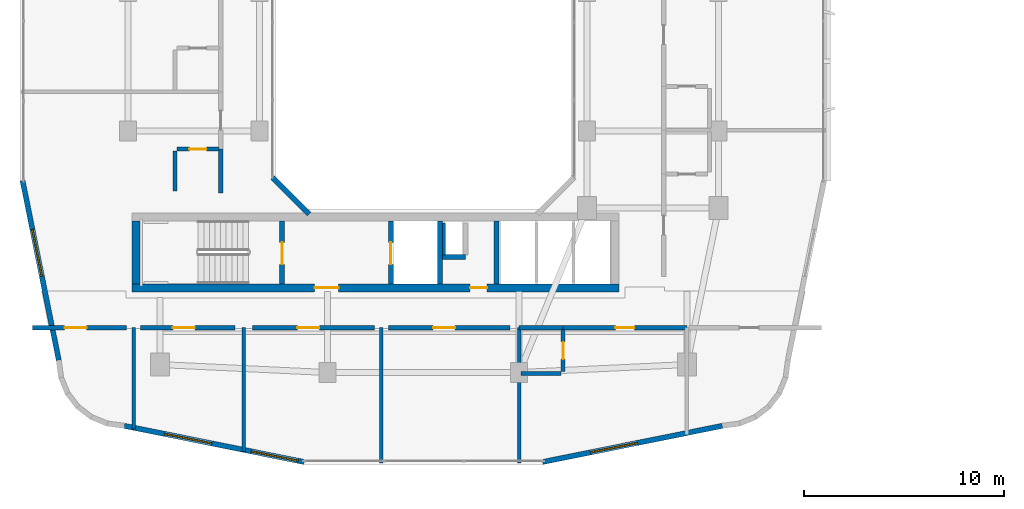
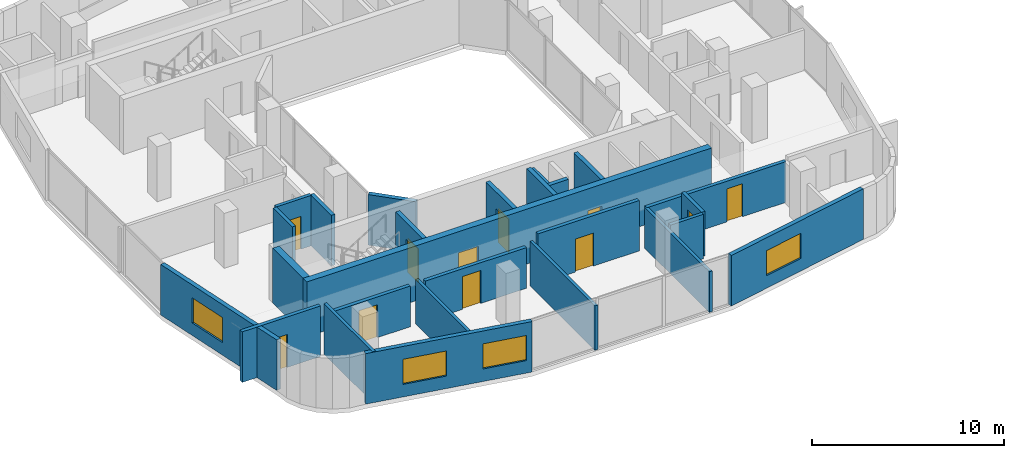
# One storey, part 12 of 26: 27 walls, 11 doors, 4 windows, 15 openings.
"""IFC4 building model written with IfcOpenShell, lengths in metres."""

from ifc_helpers import new_model, si_unit, derived_unit, direction, frame, frame_2d, origin, place, context, subcontext, project, spatial, rectangle, extrude, material, layer, layer_set, type_object, element, fill, save


model = new_model("IFC4")

# Units and contexts
model_context = context("Model", 3, precision=1e-05, world=origin(), true_north=direction((0.0, 1.0)))
body_context = subcontext(model_context, "Body", "Model", "MODEL_VIEW")
ifc_project = project(units=[si_unit("LENGTHUNIT", "METRE"), si_unit("AREAUNIT", "SQUARE_METRE"), si_unit("VOLUMEUNIT", "CUBIC_METRE"), si_unit("PLANEANGLEUNIT", "RADIAN"), si_unit("MASSUNIT", "GRAM", prefix="KILO"), derived_unit("THERMALTRANSMITTANCEUNIT", [(si_unit("POWERUNIT", "WATT"), 1), (si_unit("LENGTHUNIT", "METRE"), -2), (si_unit("THERMODYNAMICTEMPERATUREUNIT", "KELVIN"), -1)])], contexts=[model_context])

# Site, building, storey
site_placement = place(None, origin())
site = spatial("IfcSite", under=ifc_project, at=site_placement, CompositionType="ELEMENT")
building_placement = place(site_placement, origin())
building = spatial("IfcBuilding", under=site, at=building_placement, Name="Kivonza Crest Hotel", CompositionType="ELEMENT")
storey_placement = place(building_placement, frame((0.0, 0.0, 109.0)))
storey = spatial("IfcBuildingStorey", under=building, at=storey_placement, Name="L29", CompositionType="ELEMENT", Elevation=109.0)

# Walls
ifc_material_1 = material(Name="High-density acoustic masonry inter-tenancy wall", Category="masonry")
ifc_layer_1 = layer(ifc_material_1, 0.179931640625)
ifc_layer_set_1 = layer_set([ifc_layer_1], Name="High-density acoustic masonry inter-tenancy wall")
wall_type_1 = type_object("IfcWallType", Name="WL-ACOU-180", PredefinedType="SOLIDWALL", material=ifc_layer_set_1)
wall_1_placement = place(storey_placement, frame((6.47998046875, 6.56494140625, 0.0), z_axis=(0.0, 0.0, 1.0), x_axis=(0.0, 1.0, 0.0)))
element("IfcWall", 1, at=wall_1_placement, inside=storey, type_object=wall_type_1, Name="L29 interior partition WA-L29-T1S-SPDIV0", PredefinedType="SOLIDWALL", context=body_context, shape_type="SweptSolid", body=[
    extrude(rectangle(XDim=5.0849609375, YDim=0.179931640625, at=frame_2d((2.54248046875, 0.0))), origin(), (0.0, 0.0, 1.0), 3.219970703125),
])
wall_2_placement = place(storey_placement, frame((12.0, 5.452880859375, 0.0), z_axis=(0.0, 0.0, 1.0), x_axis=(0.0, 1.0, 0.0)))
element("IfcWall", 2, at=wall_2_placement, inside=storey, type_object=wall_type_1, Name="L29 interior partition WA-L29-T1S-DIV1", PredefinedType="SOLIDWALL", context=body_context, shape_type="SweptSolid", body=[
    extrude(rectangle(XDim=6.197021484375, YDim=0.179931640625, at=frame_2d((3.0986328125, 0.0))), origin(), (0.0, 0.0, 1.0), 2.8349609375),
])
wall_3_placement = place(storey_placement, frame((18.89990234375, 4.860107421875, 0.0), z_axis=(0.0, 0.0, 1.0), x_axis=(0.0, 1.0, 0.0)))
element("IfcWall", 3, at=wall_3_placement, inside=storey, type_object=wall_type_1, Name="L29 interior partition WA-L29-T1S-SPDIV1", PredefinedType="SOLIDWALL", context=body_context, shape_type="SweptSolid", body=[
    extrude(rectangle(XDim=6.789794921875, YDim=0.179931640625, at=frame_2d((3.39501953125, 0.0))), origin(), (0.0, 0.0, 1.0), 2.8349609375),
])
wall_4_placement = place(storey_placement, frame((25.800048828125, 4.860107421875, 0.0), z_axis=(0.0, 0.0, 1.0), x_axis=(0.0, 1.0, 0.0)))
element("IfcWall", 4, at=wall_4_placement, inside=storey, type_object=wall_type_1, Name="L29 interior partition WA-L29-T1S-DIV2", PredefinedType="SOLIDWALL", context=body_context, shape_type="SweptSolid", body=[
    extrude(rectangle(XDim=6.789794921875, YDim=0.179931640625, at=frame_2d((3.39501953125, 0.0))), origin(), (0.0, 0.0, 1.0), 2.594970703125),
])

# Wall, opening, door
ifc_material_2 = material(Name="Autoclaved aerated concrete blockwork", Category="masonry")
ifc_layer_2 = layer(ifc_material_2, 0.219970703125)
ifc_layer_set_2 = layer_set([ifc_layer_2], Name="Autoclaved aerated concrete blockwork")
wall_type_2 = type_object("IfcWallType", Name="WL-ACOU-220", PredefinedType="SOLIDWALL", material=ifc_layer_set_2)
wall_5_placement = place(storey_placement, frame((1.409912109375, 11.64990234375, 0.0), z_axis=(0.0, 0.0, 1.0), x_axis=(1.0, 0.0, 0.0)))
wall_5 = element("IfcWall", 5, at=wall_5_placement, inside=storey, type_object=wall_type_2, Name="L29 interior partition WA-L29-Z2-CNF0A-N", PredefinedType="SOLIDWALL", context=body_context, shape_type="SweptSolid", body=[
    extrude(rectangle(XDim=4.719970703125, YDim=0.219970703125, at=frame_2d((2.35986328125, 0.0))), origin(), (0.0, 0.0, 1.0), 3.219970703125),
])
opening_1_placement = place(wall_5_placement, frame((1.618896484375, 0.0, 0.0)))
opening_1 = element("IfcOpeningElement", 6, at=opening_1_placement, cuts=wall_5, Name="Opening DF-60M", PredefinedType="OPENING", context=body_context, shape_type="SweptSolid", body=[
    extrude(rectangle(XDim=1.10009765625, YDim=2.10009765625, at=frame_2d((0.550048828125, 1.050048828125))), frame((0.0, 0.1201171875, 0.0), z_axis=(0.0, -1.0, 0.0), x_axis=(1.0, 0.0, 0.0)), (0.0, 0.0, 1.0), 0.239990234375),
])
ifc_material_3 = material(Name="Hardwood timber oak", Category="wood")
door_type_1 = type_object("IfcDoorType", Name="DR-FD60-1100", OperationType="NOTDEFINED", PredefinedType="DOOR", material=ifc_material_3)
door_1_placement = place(opening_1_placement, frame((1.10009765625, 0.0, 0.0), z_axis=(0.0, 0.0, 1.0), x_axis=(-1.0, 0.0, 0.0)))
door_1 = element("IfcDoor", 7, at=door_1_placement, inside=storey, type_object=door_type_1, Name="L29 Diplomatic Conference Room door", OperationType="SINGLE_SWING_RIGHT", OverallHeight=2.10009765625, OverallWidth=1.10009765625, PredefinedType="DOOR", context=body_context, shape_type="SweptSolid", body=[
    extrude(rectangle(XDim=1.10009765625, YDim=2.10009765625, at=frame_2d((0.550048828125, 1.050048828125))), frame((0.0, 0.02490234375, 0.0), z_axis=(0.0, -1.0, 0.0), x_axis=(1.0, 0.0, 0.0)), (0.0, 0.0, 1.0), 0.050048828125),
])
fill(opening_1, door_1)

wall_6_placement = place(storey_placement, frame((6.830078125, 11.64990234375, 0.0), z_axis=(0.0, 0.0, 1.0), x_axis=(1.0, 0.0, 0.0)))
wall_6 = element("IfcWall", 8, at=wall_6_placement, inside=storey, type_object=wall_type_2, Name="L29 interior partition WA-L29-Z2-CNF0B-N", PredefinedType="SOLIDWALL", context=body_context, shape_type="SweptSolid", body=[
    extrude(rectangle(XDim=4.719970703125, YDim=0.219970703125, at=frame_2d((2.35986328125, 0.0))), origin(), (0.0, 0.0, 1.0), 2.594970703125),
])
opening_2_placement = place(wall_6_placement, frame((1.618896484375, 0.0, 0.0)))
opening_2 = element("IfcOpeningElement", 9, at=opening_2_placement, cuts=wall_6, Name="Opening DF-60M", PredefinedType="OPENING", context=body_context, shape_type="SweptSolid", body=[
    extrude(rectangle(XDim=1.10009765625, YDim=2.10009765625, at=frame_2d((0.550048828125, 1.050048828125))), frame((0.0, 0.1201171875, 0.0), z_axis=(0.0, -1.0, 0.0), x_axis=(1.0, 0.0, 0.0)), (0.0, 0.0, 1.0), 0.239990234375),
])
door_2_placement = place(opening_2_placement, frame((1.10009765625, 0.0, 0.0), z_axis=(0.0, 0.0, 1.0), x_axis=(-1.0, 0.0, 0.0)))
door_2 = element("IfcDoor", 10, at=door_2_placement, inside=storey, type_object=door_type_1, Name="L29 Delegation Briefing Office door", OperationType="SINGLE_SWING_LEFT", OverallHeight=2.10009765625, OverallWidth=1.10009765625, PredefinedType="DOOR", context=body_context, shape_type="SweptSolid", body=[
    extrude(rectangle(XDim=1.10009765625, YDim=2.10009765625, at=frame_2d((0.550048828125, 1.050048828125))), frame((0.0, 0.02490234375, 0.0), z_axis=(0.0, -1.0, 0.0), x_axis=(1.0, 0.0, 0.0)), (0.0, 0.0, 1.0), 0.050048828125),
])
fill(opening_2, door_2)

wall_7_placement = place(storey_placement, frame((12.449951171875, 11.64990234375, 0.0), z_axis=(0.0, 0.0, 1.0), x_axis=(1.0, 0.0, 0.0)))
wall_7 = element("IfcWall", 11, at=wall_7_placement, inside=storey, type_object=wall_type_2, Name="L29 interior partition WA-L29-Z2-CNF1A-N", PredefinedType="SOLIDWALL", context=body_context, shape_type="SweptSolid", body=[
    extrude(rectangle(XDim=6.10009765625, YDim=0.219970703125, at=frame_2d((3.050048828125, 0.0))), origin(), (0.0, 0.0, 1.0), 2.594970703125),
])
opening_3_placement = place(wall_7_placement, frame((2.239990234375, 0.0, 0.0)))
opening_3 = element("IfcOpeningElement", 12, at=opening_3_placement, cuts=wall_7, Name="Opening DF-60M", PredefinedType="OPENING", context=body_context, shape_type="SweptSolid", body=[
    extrude(rectangle(XDim=1.10009765625, YDim=2.10009765625, at=frame_2d((0.550048828125, 1.050048828125))), frame((0.0, 0.1201171875, 0.0), z_axis=(0.0, -1.0, 0.0), x_axis=(1.0, 0.0, 0.0)), (0.0, 0.0, 1.0), 0.239990234375),
])
door_3_placement = place(opening_3_placement, frame((1.10009765625, 0.0, 0.0), z_axis=(0.0, 0.0, 1.0), x_axis=(-1.0, 0.0, 0.0)))
door_3 = element("IfcDoor", 13, at=door_3_placement, inside=storey, type_object=door_type_1, Name="L29 Diplomatic Conference Room door", OperationType="SINGLE_SWING_RIGHT", OverallHeight=2.10009765625, OverallWidth=1.10009765625, PredefinedType="DOOR", context=body_context, shape_type="SweptSolid", body=[
    extrude(rectangle(XDim=1.10009765625, YDim=2.10009765625, at=frame_2d((0.550048828125, 1.050048828125))), frame((0.0, 0.02490234375, 0.0), z_axis=(0.0, -1.0, 0.0), x_axis=(1.0, 0.0, 0.0)), (0.0, 0.0, 1.0), 0.050048828125),
])
fill(opening_3, door_3)

wall_8_placement = place(storey_placement, frame((19.25, 11.64990234375, 0.0), z_axis=(0.0, 0.0, 1.0), x_axis=(1.0, 0.0, 0.0)))
wall_8 = element("IfcWall", 14, at=wall_8_placement, inside=storey, type_object=wall_type_2, Name="L29 interior partition WA-L29-Z2-CNF1B-N", PredefinedType="SOLIDWALL", context=body_context, shape_type="SweptSolid", body=[
    extrude(rectangle(XDim=6.10009765625, YDim=0.219970703125, at=frame_2d((3.050048828125, 0.0))), origin(), (0.0, 0.0, 1.0), 3.219970703125),
])
opening_4_placement = place(wall_8_placement, frame((2.239990234375, 0.0, 0.0)))
opening_4 = element("IfcOpeningElement", 15, at=opening_4_placement, cuts=wall_8, Name="Opening DF-60M", PredefinedType="OPENING", context=body_context, shape_type="SweptSolid", body=[
    extrude(rectangle(XDim=1.10009765625, YDim=2.10009765625, at=frame_2d((0.550048828125, 1.050048828125))), frame((0.0, 0.1201171875, 0.0), z_axis=(0.0, -1.0, 0.0), x_axis=(1.0, 0.0, 0.0)), (0.0, 0.0, 1.0), 0.239990234375),
])
door_4_placement = place(opening_4_placement, frame((1.10009765625, 0.0, 0.0), z_axis=(0.0, 0.0, 1.0), x_axis=(-1.0, 0.0, 0.0)))
door_4 = element("IfcDoor", 16, at=door_4_placement, inside=storey, type_object=door_type_1, Name="L29 Delegation Briefing Office door", OperationType="SINGLE_SWING_LEFT", OverallHeight=2.10009765625, OverallWidth=1.10009765625, PredefinedType="DOOR", context=body_context, shape_type="SweptSolid", body=[
    extrude(rectangle(XDim=1.10009765625, YDim=2.10009765625, at=frame_2d((0.550048828125, 1.050048828125))), frame((0.0, 0.02490234375, 0.0), z_axis=(0.0, -1.0, 0.0), x_axis=(1.0, 0.0, 0.0)), (0.0, 0.0, 1.0), 0.050048828125),
])
fill(opening_4, door_4)

# Wall
wall_9_placement = place(storey_placement, frame((25.800048828125, 11.64990234375, 0.0), z_axis=(0.0, 0.0, 1.0), x_axis=(1.0, 0.0, 0.0)))
element("IfcWall", 17, at=wall_9_placement, inside=storey, type_object=wall_type_2, Name="L29 interior partition WA-L29-S04-BCORR", PredefinedType="SOLIDWALL", context=body_context, shape_type="SweptSolid", body=[
    extrude(rectangle(XDim=2.199951171875, YDim=0.219970703125, at=frame_2d((1.10009765625, 0.0))), origin(), (0.0, 0.0, 1.0), 2.594970703125),
])

# Wall, opening, door
wall_10_placement = place(storey_placement, frame((28.0, 11.64990234375, 0.0), z_axis=(0.0, 0.0, 1.0), x_axis=(1.0, 0.0, 0.0)))
wall_10 = element("IfcWall", 18, at=wall_10_placement, inside=storey, type_object=wall_type_2, Name="L29 interior partition WA-L29-S04-MCORR", PredefinedType="SOLIDWALL", context=body_context, shape_type="SweptSolid", body=[
    extrude(rectangle(XDim=6.199951171875, YDim=0.219970703125, at=frame_2d((3.10009765625, 0.0))), origin(), (0.0, 0.0, 1.0), 2.594970703125),
])
opening_5_placement = place(wall_10_placement, frame((2.625, 0.0, 0.0)))
opening_5 = element("IfcOpeningElement", 19, at=opening_5_placement, cuts=wall_10, Name="Opening DU-60", PredefinedType="OPENING", context=body_context, shape_type="SweptSolid", body=[
    extrude(rectangle(XDim=0.949951171875, YDim=2.10009765625, at=frame_2d((0.47509765625, 1.050048828125))), frame((0.0, 0.1201171875, 0.0), z_axis=(0.0, -1.0, 0.0), x_axis=(1.0, 0.0, 0.0)), (0.0, 0.0, 1.0), 0.239990234375),
])
door_type_2 = type_object("IfcDoorType", Name="DR-UNIT-950", OperationType="NOTDEFINED", PredefinedType="DOOR", material=ifc_material_3)
door_5_placement = place(opening_5_placement, frame((0.949951171875, 0.0, 0.0), z_axis=(0.0, 0.0, 1.0), x_axis=(-1.0, 0.0, 0.0)))
door_5 = element("IfcDoor", 20, at=door_5_placement, inside=storey, type_object=door_type_2, Name="L29 S04 guest unit entrance fire door", OperationType="SINGLE_SWING_RIGHT", OverallHeight=2.10009765625, OverallWidth=0.949951171875, PredefinedType="DOOR", context=body_context, shape_type="SweptSolid", body=[
    extrude(rectangle(XDim=0.949951171875, YDim=2.10009765625, at=frame_2d((0.47509765625, 1.050048828125))), frame((0.0, 0.02490234375, 0.0), z_axis=(0.0, -1.0, 0.0), x_axis=(1.0, 0.0, 0.0)), (0.0, 0.0, 1.0), 0.050048828125),
])
fill(opening_5, door_5)

# Wall
wall_11_placement = place(storey_placement, frame((10.85009765625, 18.39990234375, 0.0), z_axis=(0.0, 0.0, 1.0), x_axis=(0.0, 1.0, 0.0)))
element("IfcWall", 21, at=wall_11_placement, inside=storey, type_object=wall_type_2, Name="L29 interior partition WA-L29-W05-BCORR", PredefinedType="SOLIDWALL", context=body_context, shape_type="SweptSolid", body=[
    extrude(rectangle(XDim=2.2001953125, YDim=0.219970703125, at=frame_2d((1.10009765625, 0.0))), origin(), (0.0, 0.0, 1.0), 3.219970703125),
])

# Wall, openings, doors
ifc_material_4 = material(Name="Concrete C50/60", Category="concrete")
ifc_layer_3 = layer(ifc_material_4, 0.39990234375)
ifc_layer_set_3 = layer_set([ifc_layer_3], Name="Concrete C50/60")
wall_type_3 = type_object("IfcWallType", Name="WL-CORE-400", PredefinedType="SHEAR", material=ifc_layer_set_3)
wall_12_placement = place(storey_placement, frame((6.39990234375, 13.639892578125, 0.0), z_axis=(0.0, 0.0, 1.0), x_axis=(1.0, 0.0, 0.0)))
wall_12 = element("IfcWall", 22, at=wall_12_placement, inside=storey, type_object=wall_type_3, Name="Core wall T1-S South L29", PredefinedType="SHEAR", context=body_context, shape_type="SweptSolid", body=[
    extrude(rectangle(XDim=24.400146484375, YDim=0.39990234375, at=frame_2d((12.2001953125, 0.0))), origin(), (0.0, 0.0, 1.0), 3.5),
])
opening_6_placement = place(wall_12_placement, frame((9.14990234375, 0.0, 0.0)))
opening_6 = element("IfcOpeningElement", 23, at=opening_6_placement, cuts=wall_12, Name="Opening DF-60", PredefinedType="OPENING", context=body_context, shape_type="SweptSolid", body=[
    extrude(rectangle(XDim=1.199951171875, YDim=2.14990234375, at=frame_2d((0.60009765625, 1.074951171875))), frame((0.0, 0.2099609375, 0.0), z_axis=(0.0, -1.0, 0.0), x_axis=(1.0, 0.0, 0.0)), (0.0, 0.0, 1.0), 0.419921875),
])
opening_7_placement = place(wall_12_placement, frame((16.93994140625, 0.0, 0.0)))
opening_7 = element("IfcOpeningElement", 24, at=opening_7_placement, cuts=wall_12, Name="Opening DF-60R", PredefinedType="OPENING", context=body_context, shape_type="SweptSolid", body=[
    extrude(rectangle(XDim=0.85009765625, YDim=2.10009765625, at=frame_2d((0.425048828125, 1.050048828125))), frame((0.0, 0.2099609375, 0.0), z_axis=(0.0, -1.0, 0.0), x_axis=(1.0, 0.0, 0.0)), (0.0, 0.0, 1.0), 0.419921875),
])
door_type_3 = type_object("IfcDoorType", Name="DR-FD60-1200", OperationType="NOTDEFINED", PredefinedType="DOOR", material=ifc_material_3)
door_6_placement = place(opening_6_placement, frame((1.199951171875, 0.0, 0.0), z_axis=(0.0, 0.0, 1.0), x_axis=(-1.0, 0.0, 0.0)))
door_6 = element("IfcDoor", 25, at=door_6_placement, inside=storey, type_object=door_type_3, Name="L29 T1-S firefighting lobby fire door", OperationType="SINGLE_SWING_LEFT", OverallHeight=2.14990234375, OverallWidth=1.199951171875, PredefinedType="DOOR", context=body_context, shape_type="SweptSolid", body=[
    extrude(rectangle(XDim=1.199951171875, YDim=2.14990234375, at=frame_2d((0.60009765625, 1.074951171875))), frame((0.0, 0.02490234375, 0.0), z_axis=(0.0, -1.0, 0.0), x_axis=(1.0, 0.0, 0.0)), (0.0, 0.0, 1.0), 0.050048828125),
])
fill(opening_6, door_6)
door_type_4 = type_object("IfcDoorType", Name="DR-FD60-850", OperationType="NOTDEFINED", PredefinedType="DOOR", material=ifc_material_3)
door_7_placement = place(opening_7_placement, frame((0.85009765625, 0.0, 0.0), z_axis=(0.0, 0.0, 1.0), x_axis=(-1.0, 0.0, 0.0)))
door_7 = element("IfcDoor", 26, at=door_7_placement, inside=storey, type_object=door_type_4, Name="L29 T1-S core room door", OperationType="SINGLE_SWING_RIGHT", OverallHeight=2.10009765625, OverallWidth=0.85009765625, PredefinedType="DOOR", context=body_context, shape_type="SweptSolid", body=[
    extrude(rectangle(XDim=0.85009765625, YDim=2.10009765625, at=frame_2d((0.425048828125, 1.050048828125))), frame((0.0, 0.02490234375, 0.0), z_axis=(0.0, -1.0, 0.0), x_axis=(1.0, 0.0, 0.0)), (0.0, 0.0, 1.0), 0.050048828125),
])
fill(opening_7, door_7)

# Wall
wall_13_placement = place(storey_placement, frame((6.60009765625, 13.840087890625, 0.0), z_axis=(0.0, 0.0, 1.0), x_axis=(0.0, 1.0, 0.0)))
element("IfcWall", 27, at=wall_13_placement, inside=storey, type_object=wall_type_3, Name="Core wall T1-S West L29", PredefinedType="SHEAR", context=body_context, shape_type="SweptSolid", body=[
    extrude(rectangle(XDim=3.159912109375, YDim=0.39990234375, at=frame_2d((1.580078125, 0.0))), origin(), (0.0, 0.0, 1.0), 3.5),
])

# Wall, openings, windows
ifc_material_5 = material(Name="Precast concrete C40/50", Category="concrete")
ifc_layer_4 = layer(ifc_material_5, 0.260009765625)
ifc_layer_set_4 = layer_set([ifc_layer_4], Name="Precast concrete C40/50")
wall_type_4 = type_object("IfcWallType", Name="WL-EXT-260", PredefinedType="STANDARD", material=ifc_layer_set_4)
wall_14_placement = place(storey_placement, frame((6.01806640625, 6.72900390625, 0.0), z_axis=(0.0, 0.0, 1.0), x_axis=(0.980315963543, -0.197435082048, 0.0)))
wall_14 = element("IfcWall", 28, at=wall_14_placement, inside=storey, type_object=wall_type_4, Name="L29 T1 exterior insulated wall 7", PredefinedType="STANDARD", context=body_context, shape_type="SweptSolid", body=[
    extrude(rectangle(XDim=9.1826171875, YDim=0.260009765625, at=frame_2d((4.59130859375, 0.0))), origin(), (0.0, 0.0, 1.0), 3.219970703125),
])
opening_8_placement = place(wall_14_placement, frame((2.06103515625, 0.0, 0.800048828125)))
opening_8 = element("IfcOpeningElement", 29, at=opening_8_placement, cuts=wall_14, Name="Opening WN-05", PredefinedType="OPENING", context=body_context, shape_type="SweptSolid", body=[
    extrude(rectangle(XDim=2.39990234375, YDim=1.60009765625, at=frame_2d((1.199951171875, 0.800048828125))), frame((0.0, 0.14013671875, 0.0), z_axis=(0.0, -1.0, 0.0), x_axis=(1.0, 0.0, 0.0)), (0.0, 0.0, 1.0), 0.280029296875),
])
opening_9_placement = place(wall_14_placement, frame((6.47900390625, 0.0, 0.800048828125)))
opening_9 = element("IfcOpeningElement", 30, at=opening_9_placement, cuts=wall_14, Name="Opening WN-05", PredefinedType="OPENING", context=body_context, shape_type="SweptSolid", body=[
    extrude(rectangle(XDim=2.39990234375, YDim=1.60009765625, at=frame_2d((1.199951171875, 0.800048828125))), frame((0.0, 0.14013671875, 0.0), z_axis=(0.0, -1.0, 0.0), x_axis=(1.0, 0.0, 0.0)), (0.0, 0.0, 1.0), 0.280029296875),
])
ifc_material_6 = material(Name="Thermally broken bronze aluminium and low-E double glazing", Category="aluminium")
window_type = type_object("IfcWindowType", Name="WN-240x160", PartitioningType="TRIPLE_PANEL_VERTICAL", PredefinedType="WINDOW", material=ifc_material_6)
window_1_placement = place(opening_8_placement, origin())
window_1 = element("IfcWindow", 31, at=window_1_placement, inside=storey, type_object=window_type, Name="L29 T1 facade window 7 bay 1", OverallHeight=1.60009765625, OverallWidth=2.39990234375, PartitioningType="SINGLE_PANEL", PredefinedType="WINDOW", context=body_context, shape_type="SweptSolid", body=[
    extrude(rectangle(XDim=2.39990234375, YDim=1.60009765625, at=frame_2d((1.199951171875, 0.800048828125))), frame((0.0, 0.030029296875, 0.0), z_axis=(0.0, -1.0, 0.0), x_axis=(1.0, 0.0, 0.0)), (0.0, 0.0, 1.0), 0.06005859375),
])
fill(opening_8, window_1)
window_2_placement = place(opening_9_placement, origin())
window_2 = element("IfcWindow", 32, at=window_2_placement, inside=storey, type_object=window_type, Name="L29 T1 facade window 7 bay 2", OverallHeight=1.60009765625, OverallWidth=2.39990234375, PartitioningType="SINGLE_PANEL", PredefinedType="WINDOW", context=body_context, shape_type="SweptSolid", body=[
    extrude(rectangle(XDim=2.39990234375, YDim=1.60009765625, at=frame_2d((1.199951171875, 0.800048828125))), frame((0.0, 0.030029296875, 0.0), z_axis=(0.0, -1.0, 0.0), x_axis=(1.0, 0.0, 0.0)), (0.0, 0.0, 1.0), 0.06005859375),
])
fill(opening_9, window_2)

# Wall, opening, window
wall_15_placement = place(storey_placement, frame((26.97998046875, 4.916015625, 0.0), z_axis=(0.0, 0.0, 1.0), x_axis=(0.980315963543, 0.197435082048, 0.0)))
wall_15 = element("IfcWall", 33, at=wall_15_placement, inside=storey, type_object=wall_type_4, Name="L29 T1 exterior insulated wall 9", PredefinedType="STANDARD", context=body_context, shape_type="SweptSolid", body=[
    extrude(rectangle(XDim=9.1826171875, YDim=0.260009765625, at=frame_2d((4.59130859375, 0.0))), origin(), (0.0, 0.0, 1.0), 3.219970703125),
])
opening_10_placement = place(wall_15_placement, frame((2.445068359375, 0.0, 0.800048828125)))
opening_10 = element("IfcOpeningElement", 34, at=opening_10_placement, cuts=wall_15, Name="Opening WN-05", PredefinedType="OPENING", context=body_context, shape_type="SweptSolid", body=[
    extrude(rectangle(XDim=2.39990234375, YDim=1.60009765625, at=frame_2d((1.199951171875, 0.800048828125))), frame((0.0, 0.14013671875, 0.0), z_axis=(0.0, -1.0, 0.0), x_axis=(1.0, 0.0, 0.0)), (0.0, 0.0, 1.0), 0.280029296875),
])
window_3_placement = place(opening_10_placement, origin())
window_3 = element("IfcWindow", 35, at=window_3_placement, inside=storey, type_object=window_type, Name="L29 T1 facade window 9", OverallHeight=1.60009765625, OverallWidth=2.39990234375, PartitioningType="SINGLE_PANEL", PredefinedType="WINDOW", context=body_context, shape_type="SweptSolid", body=[
    extrude(rectangle(XDim=2.39990234375, YDim=1.60009765625, at=frame_2d((1.199951171875, 0.800048828125))), frame((0.0, 0.030029296875, 0.0), z_axis=(0.0, -1.0, 0.0), x_axis=(1.0, 0.0, 0.0)), (0.0, 0.0, 1.0), 0.06005859375),
])
fill(opening_10, window_3)

wall_16_placement = place(storey_placement, frame((0.916015625, 19.02001953125, 0.0), z_axis=(0.0, 0.0, 1.0), x_axis=(0.197435082048, -0.980315963543, 0.0)))
wall_16 = element("IfcWall", 36, at=wall_16_placement, inside=storey, type_object=wall_type_4, Name="L29 T1 exterior insulated wall 36", PredefinedType="STANDARD", context=body_context, shape_type="SweptSolid", body=[
    extrude(rectangle(XDim=9.1826171875, YDim=0.260009765625, at=frame_2d((4.59130859375, 0.0))), origin(), (0.0, 0.0, 1.0), 3.219970703125),
])
opening_11_placement = place(wall_16_placement, frame((2.4970703125, 0.0, 0.800048828125)))
opening_11 = element("IfcOpeningElement", 37, at=opening_11_placement, cuts=wall_16, Name="Opening WN-05", PredefinedType="OPENING", context=body_context, shape_type="SweptSolid", body=[
    extrude(rectangle(XDim=2.39990234375, YDim=1.60009765625, at=frame_2d((1.199951171875, 0.800048828125))), frame((0.0, 0.14013671875, 0.0), z_axis=(0.0, -1.0, 0.0), x_axis=(1.0, 0.0, 0.0)), (0.0, 0.0, 1.0), 0.280029296875),
])
window_4_placement = place(opening_11_placement, origin())
window_4 = element("IfcWindow", 38, at=window_4_placement, inside=storey, type_object=window_type, Name="L29 T1 facade window 36", OverallHeight=1.60009765625, OverallWidth=2.39990234375, PartitioningType="SINGLE_PANEL", PredefinedType="WINDOW", context=body_context, shape_type="SweptSolid", body=[
    extrude(rectangle(XDim=2.39990234375, YDim=1.60009765625, at=frame_2d((1.199951171875, 0.800048828125))), frame((0.0, 0.030029296875, 0.0), z_axis=(0.0, -1.0, 0.0), x_axis=(1.0, 0.0, 0.0)), (0.0, 0.0, 1.0), 0.06005859375),
])
fill(opening_11, window_4)

# Walls
wall_17_placement = place(storey_placement, frame((13.444091796875, 19.172119140625, 0.0), z_axis=(0.0, 0.0, 1.0), x_axis=(0.707059717605, -0.707153841636, 0.0)))
element("IfcWall", 39, at=wall_17_placement, inside=storey, type_object=wall_type_4, Name="L29 T1 light-well exterior wall 8", PredefinedType="STANDARD", context=body_context, shape_type="SweptSolid", body=[
    extrude(rectangle(XDim=2.59375, YDim=0.260009765625, at=frame_2d((1.296875, 0.0))), origin(), (0.0, 0.0, 1.0), 3.219970703125),
])
ifc_material_7 = material(Name="Concrete blockwork fire-compartment wall", Category="masonry")
ifc_layer_5 = layer(ifc_material_7, 0.25)
ifc_layer_set_5 = layer_set([ifc_layer_5], Name="Concrete blockwork fire-compartment wall")
wall_type_5 = type_object("IfcWallType", Name="WL-FIRE-250", PredefinedType="SOLIDWALL", material=ifc_layer_set_5)
wall_18_placement = place(storey_placement, frame((21.949951171875, 15.179931640625, 0.0), z_axis=(0.0, 0.0, 1.0), x_axis=(1.0, 0.0, 0.0)))
element("IfcWall", 40, at=wall_18_placement, inside=storey, type_object=wall_type_5, Name="L29 interior partition WA-L29-T1-S-MEPR-H", PredefinedType="SOLIDWALL", context=body_context, shape_type="SweptSolid", body=[
    extrude(rectangle(XDim=1.150146484375, YDim=0.25, at=frame_2d((0.5751953125, 0.0))), origin(), (0.0, 0.0, 1.0), 3.219970703125),
])
ifc_material_8 = material(Name="Twin-stud acoustic gypsum board partition", Category="gypsum")
ifc_layer_6 = layer(ifc_material_8, 0.14990234375)
ifc_layer_set_6 = layer_set([ifc_layer_6], Name="Twin-stud acoustic gypsum board partition")
wall_type_6 = type_object("IfcWallType", Name="WL-PART-150", PredefinedType="PARTITIONING", material=ifc_layer_set_6)
wall_19_placement = place(storey_placement, frame((22.030029296875, 15.280029296875, 0.0), z_axis=(0.0, 0.0, 1.0), x_axis=(0.0, 1.0, 0.0)))
element("IfcWall", 41, at=wall_19_placement, inside=storey, type_object=wall_type_6, Name="L29 interior partition WA-L29-T1-S-MEPR-W", PredefinedType="PARTITIONING", context=body_context, shape_type="SweptSolid", body=[
    extrude(rectangle(XDim=1.619873046875, YDim=0.14990234375, at=frame_2d((0.81005859375, 0.0))), origin(), (0.0, 0.0, 1.0), 3.219970703125),
])

# Wall, opening, door
ifc_material_9 = material(Name="Moisture-resistant plumbing chase partition wall", Category="gypsum")
ifc_layer_7 = layer(ifc_material_9, 0.199951171875)
ifc_layer_set_7 = layer_set([ifc_layer_7], Name="Moisture-resistant plumbing chase partition wall")
wall_type_7 = type_object("IfcWallType", Name="WL-PLUMB-200", PredefinedType="PLUMBINGWALL", material=ifc_layer_set_7)
wall_20_placement = place(storey_placement, frame((28.0, 9.449951171875, 0.0), z_axis=(0.0, 0.0, 1.0), x_axis=(0.0, 1.0, 0.0)))
wall_20 = element("IfcWall", 42, at=wall_20_placement, inside=storey, type_object=wall_type_7, Name="L29 interior partition WW-L29-S04-BV", PredefinedType="PLUMBINGWALL", context=body_context, shape_type="SweptSolid", body=[
    extrude(rectangle(XDim=2.10009765625, YDim=0.199951171875, at=frame_2d((1.050048828125, 0.0))), origin(), (0.0, 0.0, 1.0), 2.8349609375),
])
opening_12_placement = place(wall_20_placement, frame((0.625, 0.0, 0.0)))
opening_12 = element("IfcOpeningElement", 43, at=opening_12_placement, cuts=wall_20, Name="Opening DI-85", PredefinedType="OPENING", context=body_context, shape_type="SweptSolid", body=[
    extrude(rectangle(XDim=0.85009765625, YDim=2.10009765625, at=frame_2d((0.425048828125, 1.050048828125))), frame((0.0, 0.10986328125, 0.0), z_axis=(0.0, -1.0, 0.0), x_axis=(1.0, 0.0, 0.0)), (0.0, 0.0, 1.0), 0.219970703125),
])
door_type_5 = type_object("IfcDoorType", Name="DR-INT-850", OperationType="NOTDEFINED", PredefinedType="DOOR", material=ifc_material_3)
door_8_placement = place(opening_12_placement, frame((0.85009765625, 0.0, 0.0), z_axis=(0.0, 0.0, 1.0), x_axis=(-1.0, 0.0, 0.0)))
door_8 = element("IfcDoor", 44, at=door_8_placement, inside=storey, type_object=door_type_5, Name="L29 S04 en-suite bathroom door", OperationType="SINGLE_SWING_LEFT", OverallHeight=2.10009765625, OverallWidth=0.85009765625, PredefinedType="DOOR", context=body_context, shape_type="SweptSolid", body=[
    extrude(rectangle(XDim=0.85009765625, YDim=2.10009765625, at=frame_2d((0.425048828125, 1.050048828125))), frame((0.0, 0.02490234375, 0.0), z_axis=(0.0, -1.0, 0.0), x_axis=(1.0, 0.0, 0.0)), (0.0, 0.0, 1.0), 0.050048828125),
])
fill(opening_12, door_8)

# Wall
wall_21_placement = place(storey_placement, frame((25.89990234375, 9.35009765625, 0.0), z_axis=(0.0, 0.0, 1.0), x_axis=(1.0, 0.0, 0.0)))
element("IfcWall", 45, at=wall_21_placement, inside=storey, type_object=wall_type_7, Name="L29 interior partition WW-L29-S04-BH", PredefinedType="PLUMBINGWALL", context=body_context, shape_type="SweptSolid", body=[
    extrude(rectangle(XDim=2.0, YDim=0.199951171875, at=frame_2d((1.0, 0.0))), origin(), (0.0, 0.0, 1.0), 2.8349609375),
])

# Wall, opening, door
wall_22_placement = place(storey_placement, frame((8.64990234375, 20.60009765625, 0.0), z_axis=(0.0, 0.0, 1.0), x_axis=(1.0, 0.0, 0.0)))
wall_22 = element("IfcWall", 46, at=wall_22_placement, inside=storey, type_object=wall_type_7, Name="L29 interior partition WW-L29-W05-BH", PredefinedType="PLUMBINGWALL", context=body_context, shape_type="SweptSolid", body=[
    extrude(rectangle(XDim=2.10009765625, YDim=0.199951171875, at=frame_2d((1.050048828125, 0.0))), origin(), (0.0, 0.0, 1.0), 3.219970703125),
])
opening_13_placement = place(wall_22_placement, frame((0.625, 0.0, 0.0)))
opening_13 = element("IfcOpeningElement", 47, at=opening_13_placement, cuts=wall_22, Name="Opening DI-85", PredefinedType="OPENING", context=body_context, shape_type="SweptSolid", body=[
    extrude(rectangle(XDim=0.85009765625, YDim=2.10009765625, at=frame_2d((0.425048828125, 1.050048828125))), frame((0.0, 0.10986328125, 0.0), z_axis=(0.0, -1.0, 0.0), x_axis=(1.0, 0.0, 0.0)), (0.0, 0.0, 1.0), 0.219970703125),
])
door_9_placement = place(opening_13_placement, origin())
door_9 = element("IfcDoor", 48, at=door_9_placement, inside=storey, type_object=door_type_5, Name="L29 W05 en-suite bathroom door", OperationType="SINGLE_SWING_RIGHT", OverallHeight=2.10009765625, OverallWidth=0.85009765625, PredefinedType="DOOR", context=body_context, shape_type="SweptSolid", body=[
    extrude(rectangle(XDim=0.85009765625, YDim=2.10009765625, at=frame_2d((0.425048828125, 1.050048828125))), frame((0.0, 0.02490234375, 0.0), z_axis=(0.0, -1.0, 0.0), x_axis=(1.0, 0.0, 0.0)), (0.0, 0.0, 1.0), 0.050048828125),
])
fill(opening_13, door_9)

# Wall
wall_23_placement = place(storey_placement, frame((8.550048828125, 18.5, 0.0), z_axis=(0.0, 0.0, 1.0), x_axis=(0.0, 1.0, 0.0)))
element("IfcWall", 49, at=wall_23_placement, inside=storey, type_object=wall_type_7, Name="L29 interior partition WW-L29-W05-BV", PredefinedType="PLUMBINGWALL", context=body_context, shape_type="SweptSolid", body=[
    extrude(rectangle(XDim=2.0, YDim=0.199951171875, at=frame_2d((1.0, 0.0))), origin(), (0.0, 0.0, 1.0), 3.219970703125),
])

# Wall, opening, door
ifc_layer_8 = layer(ifc_material_4, 0.25)
ifc_layer_set_8 = layer_set([ifc_layer_8], Name="Concrete C50/60")
wall_type_8 = type_object("IfcWallType", Name="WL-SHAFT-250", PredefinedType="STANDARD", material=ifc_layer_set_8)
wall_24_placement = place(storey_placement, frame((13.925048828125, 13.840087890625, 0.0), z_axis=(0.0, 0.0, 1.0), x_axis=(0.0, 1.0, 0.0)))
wall_24 = element("IfcWall", 50, at=wall_24_placement, inside=storey, type_object=wall_type_8, Name="Core shaft wall T1-S STAIR L29", PredefinedType="STANDARD", context=body_context, shape_type="SweptSolid", body=[
    extrude(rectangle(XDim=3.159912109375, YDim=0.25, at=frame_2d((1.580078125, 0.0))), origin(), (0.0, 0.0, 1.0), 3.219970703125),
])
opening_14_placement = place(wall_24_placement, frame((0.97998046875, 0.0, 0.0)))
opening_14 = element("IfcOpeningElement", 51, at=opening_14_placement, cuts=wall_24, Name="Opening DF-120", PredefinedType="OPENING", context=body_context, shape_type="SweptSolid", body=[
    extrude(rectangle(XDim=1.10009765625, YDim=2.14990234375, at=frame_2d((0.550048828125, 1.074951171875))), frame((0.0, 0.135009765625, 0.0), z_axis=(0.0, -1.0, 0.0), x_axis=(1.0, 0.0, 0.0)), (0.0, 0.0, 1.0), 0.27001953125),
])
ifc_material_10 = material(Name="Galvanised steel", Category="steel")
door_type_6 = type_object("IfcDoorType", Name="DR-FD120-1100", OperationType="NOTDEFINED", PredefinedType="DOOR", material=ifc_material_10)
door_10_placement = place(opening_14_placement, frame((1.10009765625, 0.0, 0.0), z_axis=(0.0, 0.0, 1.0), x_axis=(-1.0, 0.0, 0.0)))
door_10 = element("IfcDoor", 52, at=door_10_placement, inside=storey, type_object=door_type_6, Name="L29 T1-S stair fire door", OperationType="SINGLE_SWING_RIGHT", OverallHeight=2.14990234375, OverallWidth=1.10009765625, PredefinedType="DOOR", context=body_context, shape_type="SweptSolid", body=[
    extrude(rectangle(XDim=1.10009765625, YDim=2.14990234375, at=frame_2d((0.550048828125, 1.074951171875))), frame((0.0, 0.02490234375, 0.0), z_axis=(0.0, -1.0, 0.0), x_axis=(1.0, 0.0, 0.0)), (0.0, 0.0, 1.0), 0.050048828125),
])
fill(opening_14, door_10)

wall_25_placement = place(storey_placement, frame((19.375, 13.840087890625, 0.0), z_axis=(0.0, 0.0, 1.0), x_axis=(0.0, 1.0, 0.0)))
wall_25 = element("IfcWall", 53, at=wall_25_placement, inside=storey, type_object=wall_type_8, Name="Core shaft wall T1-S FFL-W L29", PredefinedType="STANDARD", context=body_context, shape_type="SweptSolid", body=[
    extrude(rectangle(XDim=3.159912109375, YDim=0.25, at=frame_2d((1.580078125, 0.0))), origin(), (0.0, 0.0, 1.0), 3.219970703125),
])
opening_15_placement = place(wall_25_placement, frame((0.97998046875, 0.0, 0.0)))
opening_15 = element("IfcOpeningElement", 54, at=opening_15_placement, cuts=wall_25, Name="Opening LD-120", PredefinedType="OPENING", context=body_context, shape_type="SweptSolid", body=[
    extrude(rectangle(XDim=1.10009765625, YDim=2.14990234375, at=frame_2d((0.550048828125, 1.074951171875))), frame((0.0, 0.135009765625, 0.0), z_axis=(0.0, -1.0, 0.0), x_axis=(1.0, 0.0, 0.0)), (0.0, 0.0, 1.0), 0.27001953125),
])
ifc_material_11 = material(Name="Stainless steel", Category="steel")
door_type_7 = type_object("IfcDoorType", Name="DR-LD120-1100", OperationType="NOTDEFINED", PredefinedType="DOOR", material=ifc_material_11)
door_11_placement = place(opening_15_placement, origin())
door_11 = element("IfcDoor", 55, at=door_11_placement, inside=storey, type_object=door_type_7, Name="L29 FFL-T1-S firefighting lift sliding landing door", OperationType="DOUBLE_DOOR_SLIDING", OverallHeight=2.14990234375, OverallWidth=1.10009765625, PredefinedType="DOOR", context=body_context, shape_type="SweptSolid", body=[
    extrude(rectangle(XDim=1.10009765625, YDim=2.14990234375, at=frame_2d((0.550048828125, 1.074951171875))), frame((0.0, 0.02490234375, 0.0), z_axis=(0.0, -1.0, 0.0), x_axis=(1.0, 0.0, 0.0)), (0.0, 0.0, 1.0), 0.050048828125),
])
fill(opening_15, door_11)

# Walls
for number, where, z_axis, x_axis, name in (
    (56, (21.824951171875, 13.840087890625, 0.0), (0.0, 0.0, 1.0), (0.0, 1.0, 0.0), "Core shaft wall T1-S FFL-E L29"),
    (57, (24.675048828125, 13.840087890625, 0.0), (0.0, 0.0, 1.0), (0.0, 1.0, 0.0), "Core shaft wall T1-S BANK-W L29"),
):
    element("IfcWall", number, at=place(storey_placement, frame(where, z_axis=z_axis, x_axis=x_axis)), inside=storey, type_object=wall_type_8, Name=name, PredefinedType="STANDARD", context=body_context, shape_type="SweptSolid", body=[
        extrude(rectangle(XDim=3.159912109375, YDim=0.25, at=frame_2d((1.580078125, 0.0))), origin(), (0.0, 0.0, 1.0), 3.219970703125),
    ])

save(model, "model.ifc")
